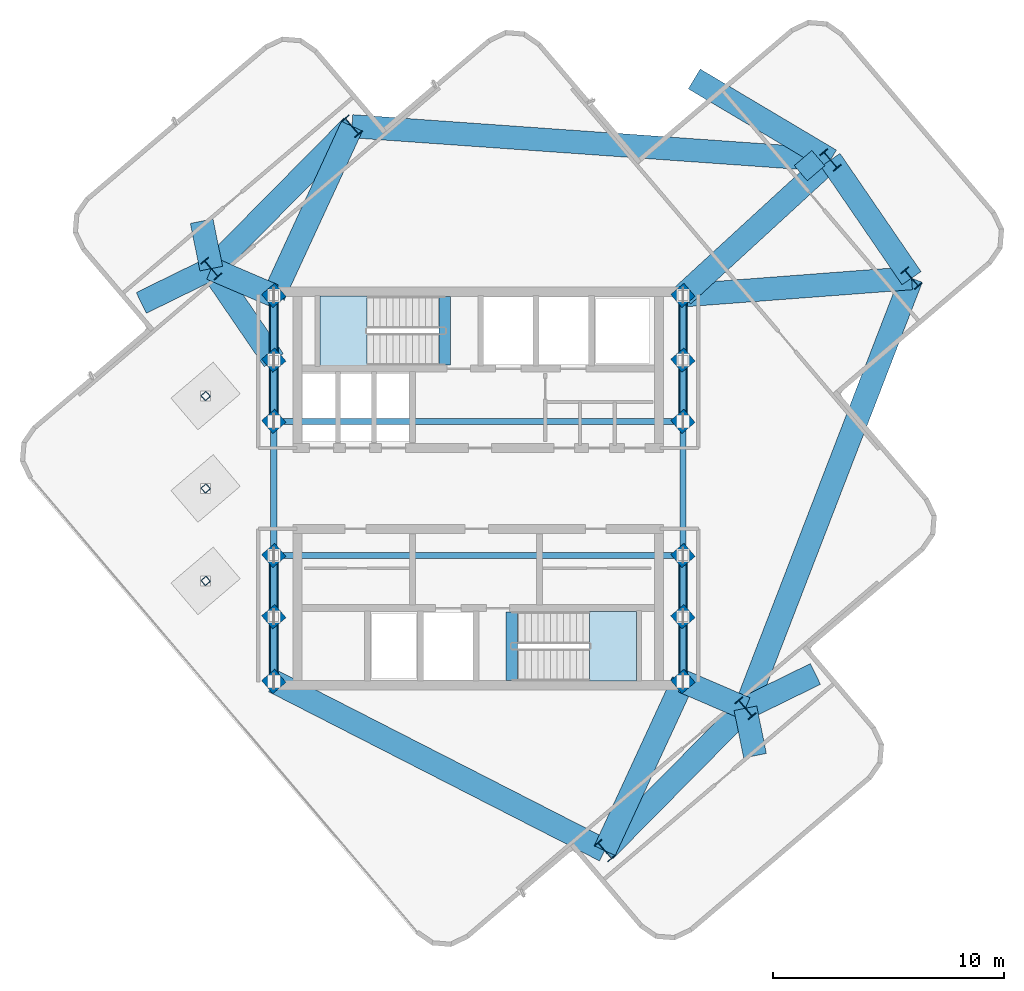
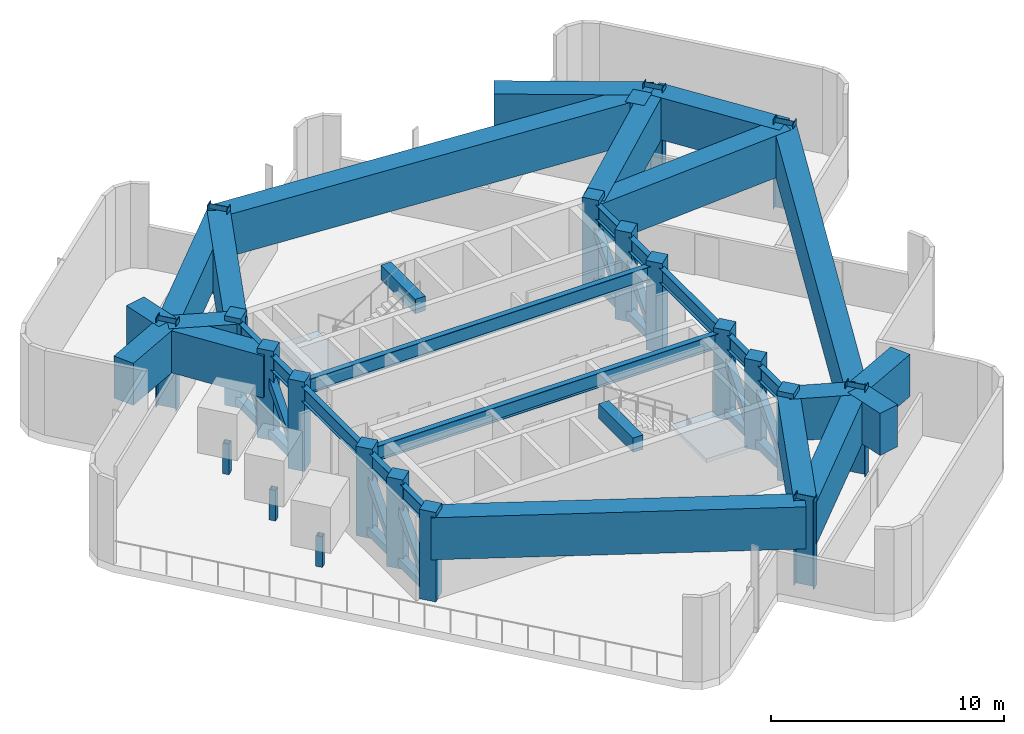
# One storey, part 1 of 7: 33 beams, 21 columns, 16 members, 2 slabs, 2 elements without a shape of their own.
"""IFC4 building model written with IfcOpenShell, lengths in metres."""

from ifc_helpers import new_model, si_unit, direction, frame, origin, origin_2d, place, context, subcontext, project, spatial, polyline, rectangle, hollow_rectangle, i_section, outline, extrude, material, layer, layer_set, material_profile, profile_set, type_object, element, aggregate, save


model = new_model("IFC4")

# Units and contexts
model_context = context("Model", 3, precision=1e-05, world=origin(), true_north=direction((0.0, 1.0)))
body_context = subcontext(model_context, "Body", "Model", "MODEL_VIEW")
ifc_project = project(units=[si_unit("LENGTHUNIT", "METRE"), si_unit("AREAUNIT", "SQUARE_METRE"), si_unit("VOLUMEUNIT", "CUBIC_METRE"), si_unit("PLANEANGLEUNIT", "RADIAN"), si_unit("MASSUNIT", "GRAM", prefix="KILO")], contexts=[model_context])

# Site, building, storey
site_placement = place(None, origin())
site = spatial("IfcSite", under=ifc_project, at=site_placement, CompositionType="ELEMENT")
building_placement = place(site_placement, origin())
building = spatial("IfcBuilding", under=site, at=building_placement, Name="Solmarez Civic Tower", CompositionType="ELEMENT")
storey_placement = place(building_placement, frame((0.0, 0.0, 239.39990234375)))
storey = spatial("IfcBuildingStorey", under=building, at=storey_placement, Name="L64", CompositionType="ELEMENT", Elevation=239.39990234375)

# Columns
ifc_material_1 = material(Name="Steel S355", Category="steel")
ifc_material_profile_1 = material_profile(ifc_material_1, hollow_rectangle(XDim=0.300048828125, YDim=0.300048828125, WallThickness=0.01611328125, at=origin_2d()), Name="HSS300X300X16")
ifc_profile_set_1 = profile_set([ifc_material_profile_1], Name="Steel S355")
column_type_1 = type_object("IfcColumnType", Name="COL-HSS300", PredefinedType="COLUMN", material=ifc_profile_set_1)
for number, where, z_axis, x_axis, name in (
    (1, (-11.800048828125, -4.0, 0.0), (0.0, 0.0, 1.0), (0.761538307537, 0.648119901063, 0.0), "L64 Wind-Turbine Equipment Pedestal 1"),
    (2, (-11.800048828125, 0.0, 0.0), (0.0, 0.0, 1.0), (0.761538307537, 0.648119901063, 0.0), "L64 Wind-Turbine Equipment Pedestal 2"),
    (3, (-11.800048828125, 4.0, 0.0), (0.0, 0.0, 1.0), (0.761538307537, 0.648119901063, 0.0), "L64 Wind-Turbine Equipment Pedestal 3"),
):
    element("IfcColumn", number, at=place(storey_placement, frame(where, z_axis=z_axis, x_axis=x_axis)), inside=storey, type_object=column_type_1, Name=name, PredefinedType="COLUMN", context=body_context, shape_type="SweptSolid", body=[
        extrude(hollow_rectangle(XDim=0.300048828125, YDim=0.300048828125, WallThickness=0.01611328125, at=origin_2d()), origin(), (0.0, 0.0, 1.0), 1.60009765625),
    ])
ifc_material_2 = material(Name="Concrete C50/60", Category="concrete")
ifc_material_profile_2 = material_profile(ifc_material_2, rectangle(XDim=0.75, YDim=0.75, at=origin_2d()), Name="RC750X750")
ifc_profile_set_2 = profile_set([ifc_material_profile_2], Name="Concrete C50/60")
column_type_2 = type_object("IfcColumnType", Name="COL-RC750", PredefinedType="COLUMN", material=ifc_profile_set_2)
for number, where, z_axis, x_axis, name in (
    (4, (-8.85009765625, -5.550048828125, 0.0), (0.0, 0.0, 1.0), (0.761538307537, 0.648119901063, 0.0), "L64 Structural Column HC1"),
    (5, (-8.85009765625, -2.89990234375, 0.0), (0.0, 0.0, 1.0), (0.761538307537, 0.648119901063, 0.0), "L64 Structural Column HC2"),
    (6, (-8.85009765625, 2.89990234375, 0.0), (0.0, 0.0, 1.0), (0.761538307537, 0.648119901063, 0.0), "L64 Structural Column HC3"),
    (7, (-8.85009765625, 5.550048828125, 0.0), (0.0, 0.0, 1.0), (0.761538307537, 0.648119901063, 0.0), "L64 Structural Column HC4"),
    (8, (8.85009765625, -5.550048828125, 0.0), (0.0, 0.0, 1.0), (0.761538307537, 0.648119901063, 0.0), "L64 Structural Column HC5"),
    (9, (8.85009765625, -2.89990234375, 0.0), (0.0, 0.0, 1.0), (0.761538307537, 0.648119901063, 0.0), "L64 Structural Column HC6"),
    (10, (8.85009765625, 2.89990234375, 0.0), (0.0, 0.0, 1.0), (0.761538307537, 0.648119901063, 0.0), "L64 Structural Column HC7"),
    (11, (8.85009765625, 5.550048828125, 0.0), (0.0, 0.0, 1.0), (0.761538307537, 0.648119901063, 0.0), "L64 Structural Column HC8"),
    (12, (-8.85009765625, 8.35009765625, 0.0), (0.0, 0.0, 1.0), (0.761538307537, 0.648119901063, 0.0), "L64 Structural Column HC9"),
    (13, (8.85009765625, -8.35009765625, 0.0), (0.0, 0.0, 1.0), (0.761538307537, 0.648119901063, 0.0), "L64 Structural Column HC10"),
    (14, (8.85009765625, 8.35009765625, 0.0), (0.0, 0.0, 1.0), (0.761538307537, 0.648119901063, 0.0), "L64 Structural Column HC11"),
    (15, (-8.85009765625, -8.35009765625, 0.0), (0.0, 0.0, 1.0), (0.761538307537, 0.648119901063, 0.0), "L64 Structural Column HC12"),
):
    element("IfcColumn", number, at=place(storey_placement, frame(where, z_axis=z_axis, x_axis=x_axis)), inside=storey, type_object=column_type_2, Name=name, PredefinedType="COLUMN", context=body_context, shape_type="SweptSolid", body=[
        extrude(rectangle(XDim=0.75, YDim=0.75, at=origin_2d()), origin(), (0.0, 0.0, 1.0), 4.68017578125),
    ])
ifc_material_profile_3 = material_profile(ifc_material_1, i_section(OverallWidth=0.41796875, OverallDepth=0.927001953125, WebThickness=0.019287109375, FlangeThickness=0.031982421875, at=origin_2d()), Name="W36X231")
ifc_profile_set_3 = profile_set([ifc_material_profile_3], Name="Steel S355")
column_type_3 = type_object("IfcColumnType", Name="COL-W36X231", PredefinedType="COLUMN", material=ifc_profile_set_3)
for number, where, z_axis, x_axis, name in (
    (16, (18.740966796875, 9.096923828125, 0.0), (0.0, 0.0, 1.0), (0.761538307537, 0.648119901063, 0.0), "L64 Structural Column EA11"),
    (17, (15.23388671875, 14.208984375, 0.0), (0.0, 0.0, 1.0), (0.761538307537, 0.648119901063, 0.0), "L64 Structural Column EA12"),
    (18, (-5.468017578125, 15.6708984375, 0.0), (0.0, 0.0, 1.0), (0.761538307537, 0.648119901063, 0.0), "L64 Structural Column NA11"),
    (19, (-11.553955078125, 9.510009765625, 0.0), (0.0, 0.0, 1.0), (0.761538307537, 0.648119901063, 0.0), "L64 Structural Column NA12"),
    (20, (5.468017578125, -15.6708984375, 0.0), (0.0, 0.0, 1.0), (0.761538307537, 0.648119901063, 0.0), "L64 Structural Column SA11"),
    (21, (11.553955078125, -9.510009765625, 0.0), (0.0, 0.0, 1.0), (0.761538307537, 0.648119901063, 0.0), "L64 Structural Column SA12"),
):
    element("IfcColumn", number, at=place(storey_placement, frame(where, z_axis=z_axis, x_axis=x_axis)), inside=storey, type_object=column_type_3, Name=name, PredefinedType="COLUMN", context=body_context, shape_type="SweptSolid", body=[
        extrude(i_section(OverallWidth=0.41796875, OverallDepth=0.927001953125, WebThickness=0.019287109375, FlangeThickness=0.031982421875, at=origin_2d()), origin(), (0.0, 0.0, 1.0), 4.68017578125),
    ])

# Beams
ifc_material_profile_4 = material_profile(ifc_material_2, rectangle(XDim=0.5, YDim=0.75, at=origin_2d()), Name="RC500X750")
ifc_profile_set_4 = profile_set([ifc_material_profile_4], Name="Concrete C50/60")
beam_type_1 = type_object("IfcBeamType", Name="BM-PR-RC500X750", PredefinedType="BEAM", material=ifc_profile_set_4)
for number, where, z_axis, x_axis, name in (
    (22, (-1.449951171875, 5.340087890625, 4.31298828125), (0.0, 1.0, 0.0), (-1.0, 0.0, 0.0), "L64 North Stair Threshold Beam"),
    (23, (1.449951171875, -8.300048828125, 4.31298828125), (0.0, 1.0, 0.0), (-1.0, 0.0, 0.0), "L64 South Stair Threshold Beam"),
):
    element("IfcBeam", number, at=place(storey_placement, frame(where, z_axis=z_axis, x_axis=x_axis)), inside=storey, type_object=beam_type_1, Name=name, PredefinedType="BEAM", context=body_context, shape_type="SweptSolid", body=[
        extrude(rectangle(XDim=0.5, YDim=0.75, at=origin_2d()), origin(), (0.0, 0.0, 1.0), 2.9599609375),
    ])
ifc_material_profile_5 = material_profile(ifc_material_1, i_section(OverallWidth=0.26708984375, OverallDepth=0.761962890625, WebThickness=0.014404296875, FlangeThickness=0.021484375, at=origin_2d()), Name="W30X116")
ifc_profile_set_5 = profile_set([ifc_material_profile_5], Name="Steel S355")
beam_type_2 = type_object("IfcBeamType", Name="BM-PR-W30X116", PredefinedType="BEAM", material=ifc_profile_set_5)
beam_1_placement = place(storey_placement, frame((-8.85009765625, -8.35009765625, 4.0390625), z_axis=(0.0, 1.0, 0.0), x_axis=(-1.0, 0.0, 0.0)))
element("IfcBeam", 24, at=beam_1_placement, inside=storey, type_object=beam_type_2, Name="L64 Primary Floor Beam BM-L64-HC12-HC1", PredefinedType="BEAM", context=body_context, shape_type="SweptSolid", body=[
    extrude(i_section(OverallWidth=0.26708984375, OverallDepth=0.761962890625, WebThickness=0.014404296875, FlangeThickness=0.021484375, at=origin_2d()), origin(), (0.0, 0.0, 1.0), 2.800048828125),
])
beam_2_placement = place(storey_placement, frame((-8.85009765625, -5.550048828125, 4.0390625), z_axis=(0.0, 1.0, 0.0), x_axis=(-1.0, 0.0, 0.0)))
element("IfcBeam", 25, at=beam_2_placement, inside=storey, type_object=beam_type_2, Name="L64 Primary Floor Beam BM-L64-HC1-HC2", PredefinedType="BEAM", context=body_context, shape_type="SweptSolid", body=[
    extrude(i_section(OverallWidth=0.26708984375, OverallDepth=0.761962890625, WebThickness=0.014404296875, FlangeThickness=0.021484375, at=origin_2d()), origin(), (0.0, 0.0, 1.0), 2.650146484375),
])
beam_3_placement = place(storey_placement, frame((-8.85009765625, -2.89990234375, 4.0390625), z_axis=(0.0, 1.0, 0.0), x_axis=(-1.0, 0.0, 0.0)))
element("IfcBeam", 26, at=beam_3_placement, inside=storey, type_object=beam_type_2, Name="L64 Primary Floor Beam BM-L64-HC2-HC3", PredefinedType="BEAM", context=body_context, shape_type="SweptSolid", body=[
    extrude(i_section(OverallWidth=0.26708984375, OverallDepth=0.761962890625, WebThickness=0.014404296875, FlangeThickness=0.021484375, at=origin_2d()), origin(), (0.0, 0.0, 1.0), 5.7998046875),
])
beam_4_placement = place(storey_placement, frame((-8.85009765625, 2.89990234375, 4.0390625), z_axis=(0.0, 1.0, 0.0), x_axis=(-1.0, 0.0, 0.0)))
element("IfcBeam", 27, at=beam_4_placement, inside=storey, type_object=beam_type_2, Name="L64 Primary Floor Beam BM-L64-HC3-HC4", PredefinedType="BEAM", context=body_context, shape_type="SweptSolid", body=[
    extrude(i_section(OverallWidth=0.26708984375, OverallDepth=0.761962890625, WebThickness=0.014404296875, FlangeThickness=0.021484375, at=origin_2d()), origin(), (0.0, 0.0, 1.0), 2.650146484375),
])
for number, where, z_axis, x_axis, name in (
    (28, (-8.85009765625, 5.550048828125, 4.0390625), (0.0, 1.0, 0.0), (-1.0, 0.0, 0.0), "L64 Primary Floor Beam BM-L64-HC4-HC9"),
    (29, (8.85009765625, -8.35009765625, 4.0390625), (0.0, 1.0, 0.0), (-1.0, 0.0, 0.0), "L64 Primary Floor Beam BM-L64-HC10-HC5"),
):
    element("IfcBeam", number, at=place(storey_placement, frame(where, z_axis=z_axis, x_axis=x_axis)), inside=storey, type_object=beam_type_2, Name=name, PredefinedType="BEAM", context=body_context, shape_type="SweptSolid", body=[
        extrude(i_section(OverallWidth=0.26708984375, OverallDepth=0.761962890625, WebThickness=0.014404296875, FlangeThickness=0.021484375, at=origin_2d()), origin(), (0.0, 0.0, 1.0), 2.800048828125),
    ])
beam_5_placement = place(storey_placement, frame((8.85009765625, -5.550048828125, 4.0390625), z_axis=(0.0, 1.0, 0.0), x_axis=(-1.0, 0.0, 0.0)))
element("IfcBeam", 30, at=beam_5_placement, inside=storey, type_object=beam_type_2, Name="L64 Primary Floor Beam BM-L64-HC5-HC6", PredefinedType="BEAM", context=body_context, shape_type="SweptSolid", body=[
    extrude(i_section(OverallWidth=0.26708984375, OverallDepth=0.761962890625, WebThickness=0.014404296875, FlangeThickness=0.021484375, at=origin_2d()), origin(), (0.0, 0.0, 1.0), 2.650146484375),
])
beam_6_placement = place(storey_placement, frame((8.85009765625, -2.89990234375, 4.0390625), z_axis=(0.0, 1.0, 0.0), x_axis=(-1.0, 0.0, 0.0)))
element("IfcBeam", 31, at=beam_6_placement, inside=storey, type_object=beam_type_2, Name="L64 Primary Floor Beam BM-L64-HC6-HC7", PredefinedType="BEAM", context=body_context, shape_type="SweptSolid", body=[
    extrude(i_section(OverallWidth=0.26708984375, OverallDepth=0.761962890625, WebThickness=0.014404296875, FlangeThickness=0.021484375, at=origin_2d()), origin(), (0.0, 0.0, 1.0), 5.7998046875),
])
beam_7_placement = place(storey_placement, frame((8.85009765625, 2.89990234375, 4.0390625), z_axis=(0.0, 1.0, 0.0), x_axis=(-1.0, 0.0, 0.0)))
element("IfcBeam", 32, at=beam_7_placement, inside=storey, type_object=beam_type_2, Name="L64 Primary Floor Beam BM-L64-HC7-HC8", PredefinedType="BEAM", context=body_context, shape_type="SweptSolid", body=[
    extrude(i_section(OverallWidth=0.26708984375, OverallDepth=0.761962890625, WebThickness=0.014404296875, FlangeThickness=0.021484375, at=origin_2d()), origin(), (0.0, 0.0, 1.0), 2.650146484375),
])
beam_8_placement = place(storey_placement, frame((8.85009765625, 5.550048828125, 4.0390625), z_axis=(0.0, 1.0, 0.0), x_axis=(-1.0, 0.0, 0.0)))
element("IfcBeam", 33, at=beam_8_placement, inside=storey, type_object=beam_type_2, Name="L64 Primary Floor Beam BM-L64-HC8-HC11", PredefinedType="BEAM", context=body_context, shape_type="SweptSolid", body=[
    extrude(i_section(OverallWidth=0.26708984375, OverallDepth=0.761962890625, WebThickness=0.014404296875, FlangeThickness=0.021484375, at=origin_2d()), origin(), (0.0, 0.0, 1.0), 2.800048828125),
])
for number, where, z_axis, x_axis, name in (
    (34, (-8.85009765625, -2.89990234375, 4.0390625), (1.0, 0.0, 0.0), (0.0, 1.0, 0.0), "L64 Primary Floor Beam BM-L64-HC2-HC6"),
    (35, (-8.85009765625, 2.89990234375, 4.0390625), (1.0, 0.0, 0.0), (0.0, 1.0, 0.0), "L64 Primary Floor Beam BM-L64-HC3-HC7"),
):
    element("IfcBeam", number, at=place(storey_placement, frame(where, z_axis=z_axis, x_axis=x_axis)), inside=storey, type_object=beam_type_2, Name=name, PredefinedType="BEAM", context=body_context, shape_type="SweptSolid", body=[
        extrude(i_section(OverallWidth=0.26708984375, OverallDepth=0.761962890625, WebThickness=0.014404296875, FlangeThickness=0.021484375, at=origin_2d()), origin(), (0.0, 0.0, 1.0), 17.7001953125),
    ])
ifc_material_3 = material(Name="Concrete C60/75", Category="concrete")
ifc_material_profile_6 = material_profile(ifc_material_3, rectangle(XDim=1.0, YDim=2.199951171875, at=origin_2d()), Name="RC1000X2200")
ifc_profile_set_6 = profile_set([ifc_material_profile_6], Name="Concrete C60/75")
beam_type_3 = type_object("IfcBeamType", Name="BM-TG-RC1000X2200", PredefinedType="USERDEFINED", material=ifc_profile_set_6)
beam_9_placement = place(storey_placement, frame((8.85009765625, 8.35009765625, 3.320068359375), z_axis=(0.997161506076, 0.075292302399, 0.0), x_axis=(-0.075292302399, 0.997161506076, 0.0)))
element("IfcBeam", 36, at=beam_9_placement, inside=storey, type_object=beam_type_3, Name="L64 Transfer Girder BM-L64-EA-R1A", ObjectType="TRANSFER_GIRDER", PredefinedType="USERDEFINED", context=body_context, shape_type="SweptSolid", body=[
    extrude(rectangle(XDim=1.0, YDim=2.199951171875, at=origin_2d()), origin(), (0.0, 0.0, 1.0), 9.9189453125),
])
beam_10_placement = place(storey_placement, frame((8.85009765625, 8.35009765625, 3.320068359375), z_axis=(0.736746995662, 0.676168517741, 0.0), x_axis=(-0.676168517741, 0.736746995662, 0.0)))
element("IfcBeam", 37, at=beam_10_placement, inside=storey, type_object=beam_type_3, Name="L64 Transfer Girder BM-L64-EA-R1B", ObjectType="TRANSFER_GIRDER", PredefinedType="USERDEFINED", context=body_context, shape_type="SweptSolid", body=[
    extrude(rectangle(XDim=1.0, YDim=2.199951171875, at=origin_2d()), origin(), (0.0, 0.0, 1.0), 8.664794921875),
])
beam_11_placement = place(storey_placement, frame((18.740966796875, 9.096923828125, 3.320068359375), z_axis=(-0.565711253315, 0.824603406416, 0.0), x_axis=(-0.824603406416, -0.565711253315, 0.0)))
element("IfcBeam", 38, at=beam_11_placement, inside=storey, type_object=beam_type_3, Name="L64 Transfer Girder BM-L64-EA-T1", ObjectType="TRANSFER_GIRDER", PredefinedType="USERDEFINED", context=body_context, shape_type="SweptSolid", body=[
    extrude(rectangle(XDim=1.0, YDim=2.199951171875, at=origin_2d()), origin(), (0.0, 0.0, 1.0), 6.199462890625),
])
beam_12_placement = place(storey_placement, frame((-8.85009765625, 8.35009765625, 3.320068359375), z_axis=(0.419390280967, 0.907806032273, 0.0), x_axis=(-0.907806032273, 0.419390280967, 0.0)))
element("IfcBeam", 39, at=beam_12_placement, inside=storey, type_object=beam_type_3, Name="L64 Transfer Girder BM-L64-NA-R1A", ObjectType="TRANSFER_GIRDER", PredefinedType="USERDEFINED", context=body_context, shape_type="SweptSolid", body=[
    extrude(rectangle(XDim=1.0, YDim=2.199951171875, at=origin_2d()), origin(), (0.0, 0.0, 1.0), 8.064208984375),
])
beam_13_placement = place(storey_placement, frame((-8.85009765625, 8.35009765625, 3.320068359375), z_axis=(-0.919007627325, 0.394239750557, 0.0), x_axis=(-0.394239750557, -0.919007627325, 0.0)))
element("IfcBeam", 40, at=beam_13_placement, inside=storey, type_object=beam_type_3, Name="L64 Transfer Girder BM-L64-NA-R1B", ObjectType="TRANSFER_GIRDER", PredefinedType="USERDEFINED", context=body_context, shape_type="SweptSolid", body=[
    extrude(rectangle(XDim=1.0, YDim=2.199951171875, at=origin_2d()), origin(), (0.0, 0.0, 1.0), 2.942138671875),
])
beam_14_placement = place(storey_placement, frame((-5.468017578125, 15.6708984375, 3.320068359375), z_axis=(-0.702766092364, -0.711420986072, 0.0), x_axis=(0.711420986072, -0.702766092364, 0.0)))
element("IfcBeam", 41, at=beam_14_placement, inside=storey, type_object=beam_type_3, Name="L64 Transfer Girder BM-L64-NA-T1", ObjectType="TRANSFER_GIRDER", PredefinedType="USERDEFINED", context=body_context, shape_type="SweptSolid", body=[
    extrude(rectangle(XDim=1.0, YDim=2.199951171875, at=origin_2d()), origin(), (0.0, 0.0, 1.0), 8.659912109375),
])
beam_15_placement = place(storey_placement, frame((8.85009765625, -8.35009765625, 3.320068359375), z_axis=(-0.419390280967, -0.907806032273, 0.0), x_axis=(0.907806032273, -0.419390280967, 0.0)))
element("IfcBeam", 42, at=beam_15_placement, inside=storey, type_object=beam_type_3, Name="L64 Transfer Girder BM-L64-SA-R1A", ObjectType="TRANSFER_GIRDER", PredefinedType="USERDEFINED", context=body_context, shape_type="SweptSolid", body=[
    extrude(rectangle(XDim=1.0, YDim=2.199951171875, at=origin_2d()), origin(), (0.0, 0.0, 1.0), 8.064208984375),
])
beam_16_placement = place(storey_placement, frame((8.85009765625, -8.35009765625, 3.320068359375), z_axis=(0.919007627325, -0.394239750557, 0.0), x_axis=(0.394239750557, 0.919007627325, 0.0)))
element("IfcBeam", 43, at=beam_16_placement, inside=storey, type_object=beam_type_3, Name="L64 Transfer Girder BM-L64-SA-R1B", ObjectType="TRANSFER_GIRDER", PredefinedType="USERDEFINED", context=body_context, shape_type="SweptSolid", body=[
    extrude(rectangle(XDim=1.0, YDim=2.199951171875, at=origin_2d()), origin(), (0.0, 0.0, 1.0), 2.942138671875),
])
beam_17_placement = place(storey_placement, frame((5.468017578125, -15.6708984375, 3.320068359375), z_axis=(0.702766092364, 0.711420986072, 0.0), x_axis=(-0.711420986072, 0.702766092364, 0.0)))
element("IfcBeam", 44, at=beam_17_placement, inside=storey, type_object=beam_type_3, Name="L64 Transfer Girder BM-L64-SA-T1", ObjectType="TRANSFER_GIRDER", PredefinedType="USERDEFINED", context=body_context, shape_type="SweptSolid", body=[
    extrude(rectangle(XDim=1.0, YDim=2.199951171875, at=origin_2d()), origin(), (0.0, 0.0, 1.0), 8.659912109375),
])
beam_18_placement = place(storey_placement, frame((15.23388671875, 14.208984375, 3.320068359375), z_axis=(-0.997515880463, 0.070441949316, 0.0), x_axis=(-0.070441949316, -0.997515880463, 0.0)))
element("IfcBeam", 45, at=beam_18_placement, inside=storey, type_object=beam_type_3, Name="L64 Transfer Girder TG-L64-RING-EA12-NA11", ObjectType="TRANSFER_GIRDER", PredefinedType="USERDEFINED", context=body_context, shape_type="SweptSolid", body=[
    extrude(rectangle(XDim=1.0, YDim=2.199951171875, at=origin_2d()), origin(), (0.0, 0.0, 1.0), 20.75341796875),
])
beam_19_placement = place(storey_placement, frame((-11.553955078125, 9.510009765625, 3.320068359375), z_axis=(0.563889659969, -0.825850138573, 0.0), x_axis=(0.825850138573, 0.563889659969, 0.0)))
element("IfcBeam", 46, at=beam_19_placement, inside=storey, type_object=beam_type_3, Name="L64 Transfer Girder TG-L64-RING-NA12-HC4", ObjectType="TRANSFER_GIRDER", PredefinedType="USERDEFINED", context=body_context, shape_type="SweptSolid", body=[
    extrude(rectangle(XDim=1.0, YDim=2.199951171875, at=origin_2d()), origin(), (0.0, 0.0, 1.0), 4.794921875),
])
beam_20_placement = place(storey_placement, frame((-8.85009765625, -8.35009765625, 3.320068359375), z_axis=(0.890367816732, -0.455241859814, 0.0), x_axis=(0.455241859814, 0.890367816732, 0.0)))
element("IfcBeam", 47, at=beam_20_placement, inside=storey, type_object=beam_type_3, Name="L64 Transfer Girder TG-L64-RING-HC12-SA11", ObjectType="TRANSFER_GIRDER", PredefinedType="USERDEFINED", context=body_context, shape_type="SweptSolid", body=[
    extrude(rectangle(XDim=1.0, YDim=2.199951171875, at=origin_2d()), origin(), (0.0, 0.0, 1.0), 16.0810546875),
])
beam_21_placement = place(storey_placement, frame((11.553955078125, -9.510009765625, 3.320068359375), z_axis=(0.360310690047, 0.932832357199, 0.0), x_axis=(-0.932832357199, 0.360310690047, 0.0)))
element("IfcBeam", 48, at=beam_21_placement, inside=storey, type_object=beam_type_3, Name="L64 Transfer Girder TG-L64-RING-SA12-EA11", ObjectType="TRANSFER_GIRDER", PredefinedType="USERDEFINED", context=body_context, shape_type="SweptSolid", body=[
    extrude(rectangle(XDim=1.0, YDim=2.199951171875, at=origin_2d()), origin(), (0.0, 0.0, 1.0), 19.94677734375),
])
beam_22_placement = place(storey_placement, frame((14.60888671875, 13.635009765625, 3.320068359375), z_axis=(-0.648017496712, 0.7616254486, 0.0), x_axis=(-0.7616254486, -0.648017496712, 0.0)))
element("IfcBeam", 49, at=beam_22_placement, inside=storey, type_object=beam_type_3, Name="L64 Transfer Girder TG-L64-EA11", ObjectType="TRANSFER_GIRDER", PredefinedType="USERDEFINED", context=body_context, shape_type="SweptSolid", body=[
    extrude(rectangle(XDim=1.0, YDim=2.199951171875, at=origin_2d()), origin(), (0.0, 0.0, 1.0), 0.86376953125),
])
beam_23_placement = place(storey_placement, frame((15.23388671875, 14.208984375, 3.320068359375), z_axis=(-0.859453440075, 0.511214029878, 0.0), x_axis=(-0.511214029878, -0.859453440075, 0.0)))
element("IfcBeam", 50, at=beam_23_placement, inside=storey, type_object=beam_type_3, Name="L64 Transfer Girder TG-L64-EA12", ObjectType="TRANSFER_GIRDER", PredefinedType="USERDEFINED", context=body_context, shape_type="SweptSolid", body=[
    extrude(rectangle(XDim=1.0, YDim=2.199951171875, at=origin_2d()), origin(), (0.0, 0.0, 1.0), 6.8564453125),
])
beam_24_placement = place(storey_placement, frame((-11.553955078125, 9.510009765625, 3.320068359375), z_axis=(-0.198778746153, 0.980044391892, 0.0), x_axis=(-0.980044391892, -0.198778746153, 0.0)))
element("IfcBeam", 51, at=beam_24_placement, inside=storey, type_object=beam_type_3, Name="L64 Transfer Girder TG-L64-NA11", ObjectType="TRANSFER_GIRDER", PredefinedType="USERDEFINED", context=body_context, shape_type="SweptSolid", body=[
    extrude(rectangle(XDim=1.0, YDim=2.199951171875, at=origin_2d()), origin(), (0.0, 0.0, 1.0), 2.09765625),
])
beam_25_placement = place(storey_placement, frame((-11.553955078125, 9.510009765625, 3.320068359375), z_axis=(-0.898002598778, -0.439990150558, 0.0), x_axis=(0.439990150558, -0.898002598778, 0.0)))
element("IfcBeam", 52, at=beam_25_placement, inside=storey, type_object=beam_type_3, Name="L64 Transfer Girder TG-L64-NA12", ObjectType="TRANSFER_GIRDER", PredefinedType="USERDEFINED", context=body_context, shape_type="SweptSolid", body=[
    extrude(rectangle(XDim=1.0, YDim=2.199951171875, at=origin_2d()), origin(), (0.0, 0.0, 1.0), 3.373046875),
])
beam_26_placement = place(storey_placement, frame((11.553955078125, -9.510009765625, 3.320068359375), z_axis=(0.198778746153, -0.980044391892, 0.0), x_axis=(0.980044391892, 0.198778746153, 0.0)))
element("IfcBeam", 53, at=beam_26_placement, inside=storey, type_object=beam_type_3, Name="L64 Transfer Girder TG-L64-SA11", ObjectType="TRANSFER_GIRDER", PredefinedType="USERDEFINED", context=body_context, shape_type="SweptSolid", body=[
    extrude(rectangle(XDim=1.0, YDim=2.199951171875, at=origin_2d()), origin(), (0.0, 0.0, 1.0), 2.09765625),
])
beam_27_placement = place(storey_placement, frame((11.553955078125, -9.510009765625, 3.320068359375), z_axis=(0.898002598778, 0.439990150558, 0.0), x_axis=(-0.439990150558, 0.898002598778, 0.0)))
element("IfcBeam", 54, at=beam_27_placement, inside=storey, type_object=beam_type_3, Name="L64 Transfer Girder TG-L64-SA12", ObjectType="TRANSFER_GIRDER", PredefinedType="USERDEFINED", context=body_context, shape_type="SweptSolid", body=[
    extrude(rectangle(XDim=1.0, YDim=2.199951171875, at=origin_2d()), origin(), (0.0, 0.0, 1.0), 3.373046875),
])

# Members
ifc_material_profile_7 = material_profile(ifc_material_1, hollow_rectangle(XDim=0.35009765625, YDim=0.35009765625, WallThickness=0.01611328125, at=origin_2d()), Name="HSS350X350X16")
ifc_profile_set_7 = profile_set([ifc_material_profile_7], Name="Steel S355")
member_type_1 = type_object("IfcMemberType", Name="MEM-BRC-HSS350", PredefinedType="BRACE", material=ifc_profile_set_7)
member_1_placement = place(storey_placement, frame((-8.85009765625, -8.35009765625, 0.35009765625), z_axis=(0.0, 0.679896097265, 0.733308459602), x_axis=(-1.0, 0.0, 0.0)))
element("IfcMember", 55, at=member_1_placement, inside=storey, type_object=member_type_1, Name="L64 Belt Truss Diagonal Brace 1", PredefinedType="BRACE", context=body_context, shape_type="SweptSolid", body=[
    extrude(hollow_rectangle(XDim=0.35009765625, YDim=0.35009765625, WallThickness=0.01611328125, at=origin_2d()), origin(), (0.0, 0.0, 1.0), 4.118408203125),
])
for number, where, z_axis, x_axis, name in (
    (56, (-8.85009765625, -5.550048828125, 0.35009765625), (0.0, 0.659579381967, 0.751634910634), (-1.0, 0.0, 0.0), "L64 Belt Truss Diagonal Brace 2"),
    (57, (-8.85009765625, 2.89990234375, 0.35009765625), (0.0, 0.659579381967, 0.751634910634), (-1.0, 0.0, 0.0), "L64 Belt Truss Diagonal Brace 3"),
):
    element("IfcMember", number, at=place(storey_placement, frame(where, z_axis=z_axis, x_axis=x_axis)), inside=storey, type_object=member_type_1, Name=name, PredefinedType="BRACE", context=body_context, shape_type="SweptSolid", body=[
        extrude(hollow_rectangle(XDim=0.35009765625, YDim=0.35009765625, WallThickness=0.01611328125, at=origin_2d()), origin(), (0.0, 0.0, 1.0), 4.017822265625),
    ])
for number, where, z_axis, x_axis, name in (
    (58, (-8.85009765625, 5.550048828125, 0.35009765625), (0.0, 0.679896097265, 0.733308459602), (-1.0, 0.0, 0.0), "L64 Belt Truss Diagonal Brace 4"),
    (59, (8.85009765625, -8.35009765625, 0.35009765625), (0.0, 0.679896097265, 0.733308459602), (-1.0, 0.0, 0.0), "L64 Belt Truss Diagonal Brace 5"),
):
    element("IfcMember", number, at=place(storey_placement, frame(where, z_axis=z_axis, x_axis=x_axis)), inside=storey, type_object=member_type_1, Name=name, PredefinedType="BRACE", context=body_context, shape_type="SweptSolid", body=[
        extrude(hollow_rectangle(XDim=0.35009765625, YDim=0.35009765625, WallThickness=0.01611328125, at=origin_2d()), origin(), (0.0, 0.0, 1.0), 4.118408203125),
    ])
for number, where, z_axis, x_axis, name in (
    (60, (8.85009765625, -5.550048828125, 0.35009765625), (0.0, 0.659579381967, 0.751634910634), (-1.0, 0.0, 0.0), "L64 Belt Truss Diagonal Brace 6"),
    (61, (8.85009765625, 2.89990234375, 0.35009765625), (0.0, 0.659579381967, 0.751634910634), (-1.0, 0.0, 0.0), "L64 Belt Truss Diagonal Brace 7"),
):
    element("IfcMember", number, at=place(storey_placement, frame(where, z_axis=z_axis, x_axis=x_axis)), inside=storey, type_object=member_type_1, Name=name, PredefinedType="BRACE", context=body_context, shape_type="SweptSolid", body=[
        extrude(hollow_rectangle(XDim=0.35009765625, YDim=0.35009765625, WallThickness=0.01611328125, at=origin_2d()), origin(), (0.0, 0.0, 1.0), 4.017822265625),
    ])
member_2_placement = place(storey_placement, frame((8.85009765625, 5.550048828125, 0.35009765625), z_axis=(0.0, 0.679896097265, 0.733308459602), x_axis=(-1.0, 0.0, 0.0)))
element("IfcMember", 62, at=member_2_placement, inside=storey, type_object=member_type_1, Name="L64 Belt Truss Diagonal Brace 8", PredefinedType="BRACE", context=body_context, shape_type="SweptSolid", body=[
    extrude(hollow_rectangle(XDim=0.35009765625, YDim=0.35009765625, WallThickness=0.01611328125, at=origin_2d()), origin(), (0.0, 0.0, 1.0), 4.118408203125),
])
ifc_material_profile_8 = material_profile(ifc_material_1, hollow_rectangle(XDim=0.39990234375, YDim=0.39990234375, WallThickness=0.02001953125, at=origin_2d()), Name="HSS400X400X20")
ifc_profile_set_8 = profile_set([ifc_material_profile_8], Name="Steel S355")
member_type_2 = type_object("IfcMemberType", Name="MEM-CHD-HSS400", PredefinedType="CHORD", material=ifc_profile_set_8)
member_3_placement = place(storey_placement, frame((-8.85009765625, -8.35009765625, 0.35009765625), z_axis=(0.0, 1.0, 0.0), x_axis=(-1.0, 0.0, 0.0)))
element("IfcMember", 63, at=member_3_placement, inside=storey, type_object=member_type_2, Name="L64 Belt Truss Bottom Chord 1", PredefinedType="CHORD", context=body_context, shape_type="SweptSolid", body=[
    extrude(hollow_rectangle(XDim=0.39990234375, YDim=0.39990234375, WallThickness=0.02001953125, at=origin_2d()), origin(), (0.0, 0.0, 1.0), 2.800048828125),
])
for number, where, z_axis, x_axis, name in (
    (64, (-8.85009765625, -5.550048828125, 0.35009765625), (0.0, 1.0, 0.0), (-1.0, 0.0, 0.0), "L64 Belt Truss Bottom Chord 2"),
    (65, (-8.85009765625, 2.89990234375, 0.35009765625), (0.0, 1.0, 0.0), (-1.0, 0.0, 0.0), "L64 Belt Truss Bottom Chord 3"),
):
    element("IfcMember", number, at=place(storey_placement, frame(where, z_axis=z_axis, x_axis=x_axis)), inside=storey, type_object=member_type_2, Name=name, PredefinedType="CHORD", context=body_context, shape_type="SweptSolid", body=[
        extrude(hollow_rectangle(XDim=0.39990234375, YDim=0.39990234375, WallThickness=0.02001953125, at=origin_2d()), origin(), (0.0, 0.0, 1.0), 2.650146484375),
    ])
for number, where, z_axis, x_axis, name in (
    (66, (-8.85009765625, 5.550048828125, 0.35009765625), (0.0, 1.0, 0.0), (-1.0, 0.0, 0.0), "L64 Belt Truss Bottom Chord 4"),
    (67, (8.85009765625, -8.35009765625, 0.35009765625), (0.0, 1.0, 0.0), (-1.0, 0.0, 0.0), "L64 Belt Truss Bottom Chord 5"),
):
    element("IfcMember", number, at=place(storey_placement, frame(where, z_axis=z_axis, x_axis=x_axis)), inside=storey, type_object=member_type_2, Name=name, PredefinedType="CHORD", context=body_context, shape_type="SweptSolid", body=[
        extrude(hollow_rectangle(XDim=0.39990234375, YDim=0.39990234375, WallThickness=0.02001953125, at=origin_2d()), origin(), (0.0, 0.0, 1.0), 2.800048828125),
    ])
for number, where, z_axis, x_axis, name in (
    (68, (8.85009765625, -5.550048828125, 0.35009765625), (0.0, 1.0, 0.0), (-1.0, 0.0, 0.0), "L64 Belt Truss Bottom Chord 6"),
    (69, (8.85009765625, 2.89990234375, 0.35009765625), (0.0, 1.0, 0.0), (-1.0, 0.0, 0.0), "L64 Belt Truss Bottom Chord 7"),
):
    element("IfcMember", number, at=place(storey_placement, frame(where, z_axis=z_axis, x_axis=x_axis)), inside=storey, type_object=member_type_2, Name=name, PredefinedType="CHORD", context=body_context, shape_type="SweptSolid", body=[
        extrude(hollow_rectangle(XDim=0.39990234375, YDim=0.39990234375, WallThickness=0.02001953125, at=origin_2d()), origin(), (0.0, 0.0, 1.0), 2.650146484375),
    ])
member_4_placement = place(storey_placement, frame((8.85009765625, 5.550048828125, 0.35009765625), z_axis=(0.0, 1.0, 0.0), x_axis=(-1.0, 0.0, 0.0)))
element("IfcMember", 70, at=member_4_placement, inside=storey, type_object=member_type_2, Name="L64 Belt Truss Bottom Chord 8", PredefinedType="CHORD", context=body_context, shape_type="SweptSolid", body=[
    extrude(hollow_rectangle(XDim=0.39990234375, YDim=0.39990234375, WallThickness=0.02001953125, at=origin_2d()), origin(), (0.0, 0.0, 1.0), 2.800048828125),
])

# Stair, slab
stair_type = type_object("IfcStairType", Name="STAIR-DOGLEG-140W-26R-1800", PredefinedType="HALF_TURN_STAIR", material=ifc_material_2)
stair_1_placement = place(storey_placement, origin())
stair_1 = element("IfcStair", 71, at=stair_1_placement, inside=storey, type_object=stair_type, Name="L64 North Core Protected Exit Stair ST-1", PredefinedType="HALF_TURN_STAIR")
ifc_layer = layer(ifc_material_2, 0.199951171875)
ifc_layer_set = layer_set([ifc_layer], Name="Concrete C50/60")
slab_type = type_object("IfcSlabType", Name="SLAB-LANDING-200", PredefinedType="LANDING", material=ifc_layer_set)
slab_1_placement = place(storey_placement, frame((0.0, 0.0, 2.14013671875)))
slab_1 = element("IfcSlab", 72, at=slab_1_placement, type_object=slab_type, Name="ST-1 landing 1", PredefinedType="LANDING", context=body_context, shape_type="SweptSolid", body=[
    extrude(outline(polyline([(-4.81005859375, 8.320068359375), (-6.85009765625, 8.320068359375), (-6.85009765625, 5.320068359375), (-4.81005859375, 5.320068359375), (-4.81005859375, 8.320068359375)])), origin(), (0.0, 0.0, 1.0), 0.199951171875),
])
aggregate(stair_1, [slab_1])

stair_2_placement = place(storey_placement, origin())
stair_2 = element("IfcStair", 73, at=stair_2_placement, inside=storey, type_object=stair_type, Name="L64 South Core Protected Exit Stair ST-2", PredefinedType="HALF_TURN_STAIR")
slab_2_placement = place(storey_placement, frame((0.0, 0.0, 2.14013671875)))
slab_2 = element("IfcSlab", 74, at=slab_2_placement, type_object=slab_type, Name="ST-2 landing 1", PredefinedType="LANDING", context=body_context, shape_type="SweptSolid", body=[
    extrude(outline(polyline([(4.81005859375, -8.320068359375), (6.85009765625, -8.320068359375), (6.85009765625, -5.320068359375), (4.81005859375, -5.320068359375), (4.81005859375, -8.320068359375)])), origin(), (0.0, 0.0, 1.0), 0.199951171875),
])
aggregate(stair_2, [slab_2])

save(model, "model.ifc")
